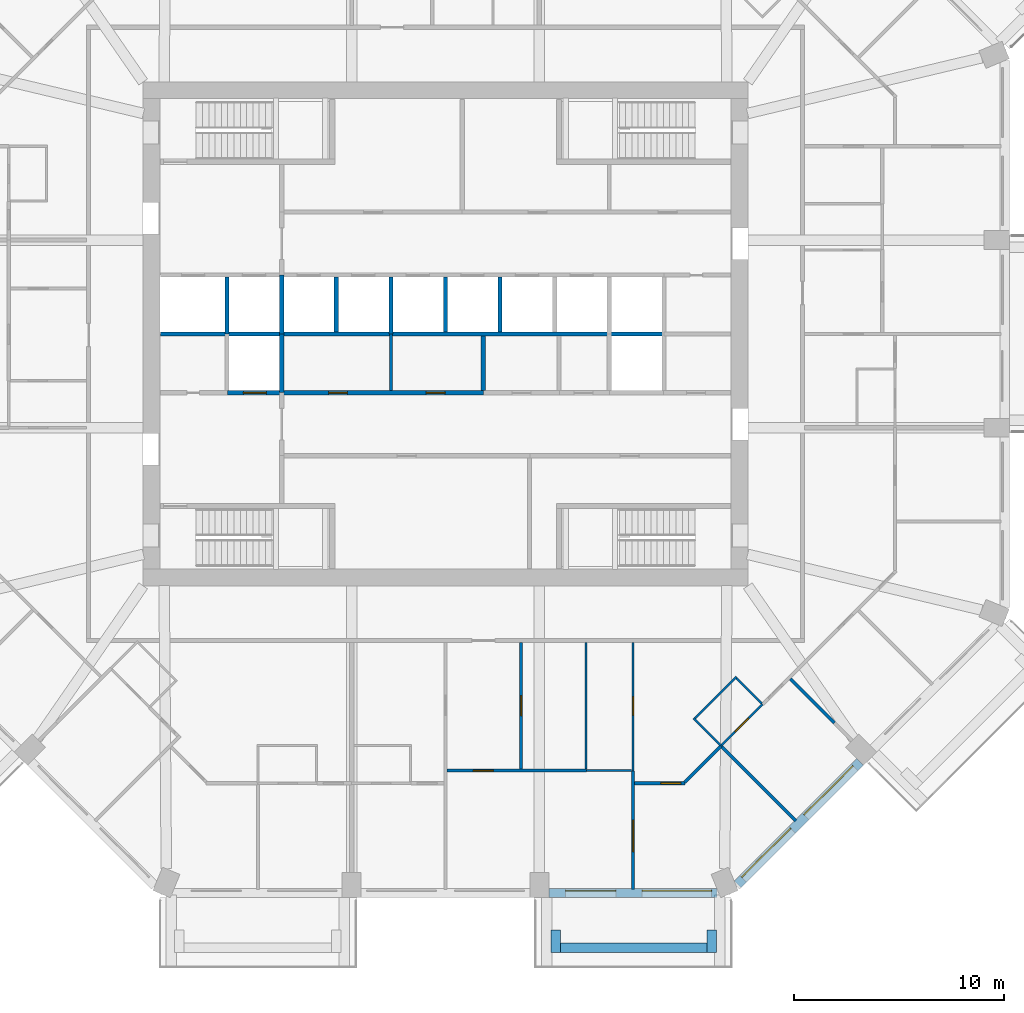
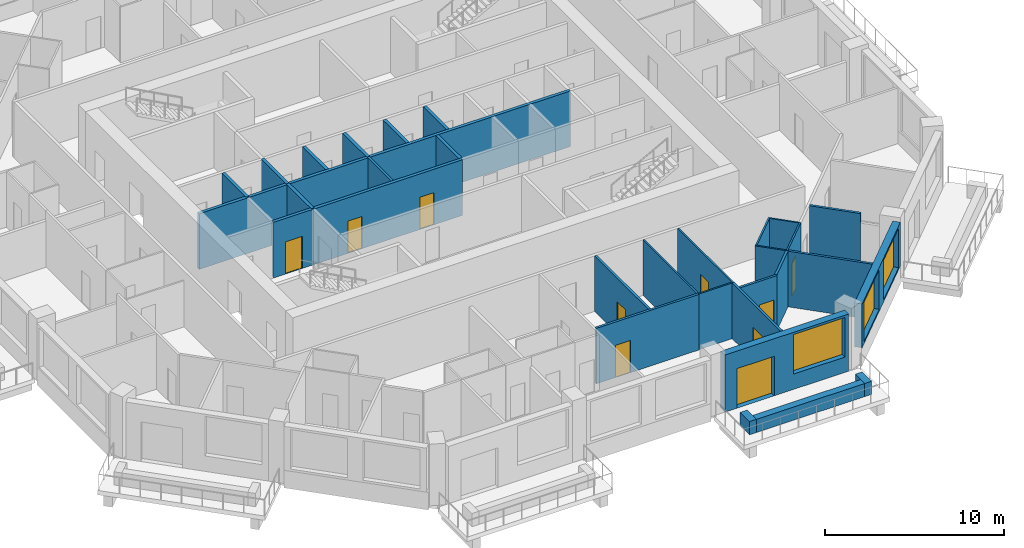
# One storey, part 5 of 13: 31 walls, 10 doors, 3 windows, 13 openings.
"""IFC4 building model written with IfcOpenShell, lengths in metres."""

from ifc_helpers import new_model, si_unit, direction, frame, frame_2d, origin, place, context, subcontext, project, spatial, rectangle, extrude, material, layer, layer_set, type_object, element, fill, save


model = new_model("IFC4")

# Units and contexts
model_context = context("Model", 3, precision=1e-05, world=origin(), true_north=direction((0.0, 1.0)))
body_context = subcontext(model_context, "Body", "Model", "MODEL_VIEW")
ifc_project = project(units=[si_unit("LENGTHUNIT", "METRE"), si_unit("AREAUNIT", "SQUARE_METRE"), si_unit("VOLUMEUNIT", "CUBIC_METRE"), si_unit("PLANEANGLEUNIT", "RADIAN"), si_unit("MASSUNIT", "GRAM", prefix="KILO")], contexts=[model_context])

# Site, building, storey
site_placement = place(None, origin())
site = spatial("IfcSite", under=ifc_project, at=site_placement, CompositionType="ELEMENT")
building_placement = place(site_placement, origin())
building = spatial("IfcBuilding", under=site, at=building_placement, Name="Msitu Wima Residences", CompositionType="ELEMENT")
storey_placement = place(building_placement, frame((0.0, 0.0, 144.300048828125)))
storey = spatial("IfcBuildingStorey", under=building, at=storey_placement, Name="L33", CompositionType="ELEMENT", Elevation=144.300048828125)

# Walls
ifc_material_1 = material(Name="Facing brick")
ifc_layer_1 = layer(ifc_material_1, 0.06494140625, Name="Facing brick")
ifc_material_2 = material(Name="Concrete C40/50", Category="concrete")
ifc_layer_2 = layer(ifc_material_2, 0.156005859375, Name="Concrete C40/50")
ifc_material_3 = material(Name="Waterproofing membrane")
ifc_layer_3 = layer(ifc_material_3, 0.00390625, Name="Waterproofing membrane")
ifc_material_4 = material(Name="Planting soil and planting")
ifc_layer_4 = layer(ifc_material_4, 0.22509765625, Name="Planting soil and planting")
ifc_layer_set_1 = layer_set([ifc_layer_1, ifc_layer_2, ifc_layer_3, ifc_layer_4], Name="Concrete C40/50")
wall_type_1 = type_object("IfcWallType", Name="Balcony planter PLANTER PL450", PredefinedType="USERDEFINED", material=ifc_layer_set_1)
wall_1_placement = place(storey_placement, frame((5.468505859375, -29.22509765625, 0.0), z_axis=(0.0, 0.0, 1.0), x_axis=(1.0, 0.0, 0.0)))
element("IfcWall", 1, at=wall_1_placement, inside=storey, type_object=wall_type_1, Name="Balcony planter S2 L33", ObjectType="PLANTER", PredefinedType="USERDEFINED", context=body_context, shape_type="SweptSolid", body=[
    extrude(rectangle(XDim=6.9873046875, YDim=0.449951171875, at=frame_2d((3.49365234375, 0.0))), origin(), (0.0, 0.0, 1.0), 0.89990234375),
])
for number, where, z_axis, x_axis, name in (
    (2, (5.24365234375, -28.39990234375, 0.0), (0.0, 0.0, 1.0), (0.0, -1.0, 0.0), "Balcony planter S2 L33"),
    (3, (12.680908203125, -28.39990234375, 0.0), (0.0, 0.0, 1.0), (0.0, -1.0, 0.0), "Balcony planter S2 L33"),
):
    element("IfcWall", number, at=place(storey_placement, frame(where, z_axis=z_axis, x_axis=x_axis)), inside=storey, type_object=wall_type_1, Name=name, ObjectType="PLANTER", PredefinedType="USERDEFINED", context=body_context, shape_type="SweptSolid", body=[
        extrude(rectangle(XDim=1.050048828125, YDim=0.449951171875, at=frame_2d((0.52490234375, 0.0))), origin(), (0.0, 0.0, 1.0), 0.89990234375),
    ])

# Wall, openings, door, window
ifc_material_5 = material(Name="Brick (red buff mix)", Category="masonry")
ifc_layer_5 = layer(ifc_material_5, 0.449951171875)
ifc_layer_set_2 = layer_set([ifc_layer_5], Name="Brick (red buff mix)")
wall_type_2 = type_object("IfcWallType", Name="Brick infill wall BW450", PredefinedType="SOLIDWALL", material=ifc_layer_set_2)
wall_2_placement = place(storey_placement, frame((4.918701171875, -26.625, 0.0), z_axis=(0.0, 0.0, 1.0), x_axis=(1.0, 0.0, 0.0)))
wall_2 = element("IfcWall", 4, at=wall_2_placement, inside=storey, type_object=wall_type_2, Name="Brick infill wall L33 S2", PredefinedType="SOLIDWALL", context=body_context, shape_type="SweptSolid", body=[
    extrude(rectangle(XDim=8.0, YDim=0.449951171875, at=frame_2d((4.0, 0.0))), origin(), (0.0, 0.0, 1.0), 3.89990234375),
])
opening_1_placement = place(wall_2_placement, frame((0.800048828125, 0.0, 0.0)))
opening_1 = element("IfcOpeningElement", 5, at=opening_1_placement, cuts=wall_2, Name="Opening D33.007", PredefinedType="OPENING", context=body_context, shape_type="SweptSolid", body=[
    extrude(rectangle(XDim=2.39990234375, YDim=2.699951171875, at=frame_2d((1.199951171875, 1.35009765625))), frame((0.0, 0.23486328125, 0.0), z_axis=(0.0, -1.0, 0.0), x_axis=(1.0, 0.0, 0.0)), (0.0, 0.0, 1.0), 0.469970703125),
])
opening_2_placement = place(wall_2_placement, frame((4.4501953125, 0.0, 1.050048828125)))
opening_2 = element("IfcOpeningElement", 6, at=opening_2_placement, cuts=wall_2, Name="Opening W33.019", PredefinedType="OPENING", context=body_context, shape_type="SweptSolid", body=[
    extrude(rectangle(XDim=3.300048828125, YDim=2.699951171875, at=frame_2d((1.64990234375, 1.35009765625))), frame((0.0, 0.23486328125, 0.0), z_axis=(0.0, -1.0, 0.0), x_axis=(1.0, 0.0, 0.0)), (0.0, 0.0, 1.0), 0.469970703125),
])
ifc_material_6 = material(Name="Anodised aluminium, bronze finish, clear low-emissivity double glazing", Category="aluminium")
door_type_1 = type_object("IfcDoorType", Name="Balcony door D2400x2700", OperationType="SLIDING_TO_LEFT", PredefinedType="DOOR", material=ifc_material_6)
door_1_placement = place(opening_1_placement, origin())
door_1 = element("IfcDoor", 7, at=door_1_placement, inside=storey, type_object=door_type_1, Name="Balcony door L33 S2", OperationType="SINGLE_SWING_LEFT", OverallHeight=2.699951171875, OverallWidth=2.39990234375, PredefinedType="DOOR", context=body_context, shape_type="SweptSolid", body=[
    extrude(rectangle(XDim=2.39990234375, YDim=2.699951171875, at=frame_2d((1.199951171875, 1.35009765625))), frame((0.0, 0.1298828125, 0.0), z_axis=(0.0, -1.0, 0.0), x_axis=(1.0, 0.0, 0.0)), (0.0, 0.0, 1.0), 0.050048828125),
])
fill(opening_1, door_1)
window_type = type_object("IfcWindowType", Name="Window W3300x2700", PartitioningType="DOUBLE_PANEL_VERTICAL", PredefinedType="WINDOW", material=ifc_material_6)
window_1_placement = place(opening_2_placement, origin())
window_1 = element("IfcWindow", 8, at=window_1_placement, inside=storey, type_object=window_type, Name="Window L33 S2.2", OverallHeight=2.699951171875, OverallWidth=3.300048828125, PartitioningType="SINGLE_PANEL", PredefinedType="WINDOW", context=body_context, shape_type="SweptSolid", body=[
    extrude(rectangle(XDim=3.300048828125, YDim=2.699951171875, at=frame_2d((1.64990234375, 1.35009765625))), frame((0.0, 0.135009765625, 0.0), z_axis=(0.0, -1.0, 0.0), x_axis=(1.0, 0.0, 0.0)), (0.0, 0.0, 1.0), 0.06005859375),
])
fill(opening_2, window_1)

# Wall, openings, windows
wall_3_placement = place(storey_placement, frame((13.909423828125, -26.214599609375, 0.89990234375), z_axis=(0.0, 0.0, 1.0), x_axis=(0.707106781187, 0.707106781187, 0.0)))
wall_3 = element("IfcWall", 9, at=wall_3_placement, inside=storey, type_object=wall_type_2, Name="Brick infill wall L33 SE0", PredefinedType="SOLIDWALL", context=body_context, shape_type="SweptSolid", body=[
    extrude(rectangle(XDim=8.251220703125, YDim=0.449951171875, at=frame_2d((4.12548828125, 0.0))), origin(), (0.0, 0.0, 1.0), 3.0),
])
opening_3_placement = place(wall_3_placement, frame((0.37548828125, 0.0, 0.14990234375)))
opening_3 = element("IfcOpeningElement", 10, at=opening_3_placement, cuts=wall_3, Name="Opening W33.020", PredefinedType="OPENING", context=body_context, shape_type="SweptSolid", body=[
    extrude(rectangle(XDim=3.300048828125, YDim=2.699951171875, at=frame_2d((1.64990234375, 1.35009765625))), frame((0.0, 0.23486328125, 0.0), z_axis=(0.0, -1.0, 0.0), x_axis=(1.0, 0.0, 0.0)), (0.0, 0.0, 1.0), 0.469970703125),
])
opening_4_placement = place(wall_3_placement, frame((4.57568359375, 0.0, 0.14990234375)))
opening_4 = element("IfcOpeningElement", 11, at=opening_4_placement, cuts=wall_3, Name="Opening W33.021", PredefinedType="OPENING", context=body_context, shape_type="SweptSolid", body=[
    extrude(rectangle(XDim=3.300048828125, YDim=2.699951171875, at=frame_2d((1.64990234375, 1.35009765625))), frame((0.0, 0.23486328125, 0.0), z_axis=(0.0, -1.0, 0.0), x_axis=(1.0, 0.0, 0.0)), (0.0, 0.0, 1.0), 0.469970703125),
])
window_2_placement = place(opening_3_placement, origin())
window_2 = element("IfcWindow", 12, at=window_2_placement, inside=storey, type_object=window_type, Name="Window L33 SE0.1", OverallHeight=2.699951171875, OverallWidth=3.300048828125, PartitioningType="SINGLE_PANEL", PredefinedType="WINDOW", context=body_context, shape_type="SweptSolid", body=[
    extrude(rectangle(XDim=3.300048828125, YDim=2.699951171875, at=frame_2d((1.64990234375, 1.35009765625))), frame((0.0, 0.135009765625, 0.0), z_axis=(0.0, -1.0, 0.0), x_axis=(1.0, 0.0, 0.0)), (0.0, 0.0, 1.0), 0.06005859375),
])
fill(opening_3, window_2)
window_3_placement = place(opening_4_placement, origin())
window_3 = element("IfcWindow", 13, at=window_3_placement, inside=storey, type_object=window_type, Name="Window L33 SE0.2", OverallHeight=2.699951171875, OverallWidth=3.300048828125, PartitioningType="SINGLE_PANEL", PredefinedType="WINDOW", context=body_context, shape_type="SweptSolid", body=[
    extrude(rectangle(XDim=3.300048828125, YDim=2.699951171875, at=frame_2d((1.64990234375, 1.35009765625))), frame((0.0, 0.135009765625, 0.0), z_axis=(0.0, -1.0, 0.0), x_axis=(1.0, 0.0, 0.0)), (0.0, 0.0, 1.0), 0.06005859375),
])
fill(opening_4, window_3)

# Wall, openings, doors
ifc_material_7 = material(Name="Plaster")
ifc_layer_6 = layer(ifc_material_7, 0.011962890625, Name="Plaster")
ifc_material_8 = material(Name="Concrete blockwork", Category="masonry")
ifc_layer_7 = layer(ifc_material_8, 0.176025390625, Name="Concrete blockwork")
ifc_layer_8 = layer(ifc_material_7, 0.011962890625, Name="Plaster")
ifc_layer_set_3 = layer_set([ifc_layer_6, ifc_layer_7, ifc_layer_8], Name="Concrete blockwork")
wall_type_3 = type_object("IfcWallType", Name="Corridor wall FW200", PredefinedType="PARTITIONING", material=ifc_layer_set_3)
wall_4_placement = place(storey_placement, frame((-7.820068359375, -2.800048828125, 0.0), z_axis=(0.0, 0.0, 1.0), x_axis=(1.0, 0.0, 0.0)))
wall_4 = element("IfcWall", 14, at=wall_4_placement, inside=storey, type_object=wall_type_3, Name="Corridor wall", PredefinedType="PARTITIONING", context=body_context, shape_type="SweptSolid", body=[
    extrude(rectangle(XDim=9.64013671875, YDim=0.199951171875, at=frame_2d((4.820068359375, 0.0))), origin(), (0.0, 0.0, 1.0), 3.7978515625),
])
opening_5_placement = place(wall_4_placement, frame((2.25, 0.0, 0.0)))
opening_5 = element("IfcOpeningElement", 15, at=opening_5_placement, cuts=wall_4, Name="Opening D33.029", PredefinedType="OPENING", context=body_context, shape_type="SweptSolid", body=[
    extrude(rectangle(XDim=0.89990234375, YDim=2.199951171875, at=frame_2d((0.449951171875, 1.10009765625))), frame((0.0, 0.10986328125, 0.0), z_axis=(0.0, -1.0, 0.0), x_axis=(1.0, 0.0, 0.0)), (0.0, 0.0, 1.0), 0.219970703125),
])
opening_6_placement = place(wall_4_placement, frame((6.89990234375, 0.0, 0.0)))
opening_6 = element("IfcOpeningElement", 16, at=opening_6_placement, cuts=wall_4, Name="Opening D33.030", PredefinedType="OPENING", context=body_context, shape_type="SweptSolid", body=[
    extrude(rectangle(XDim=0.89990234375, YDim=2.199951171875, at=frame_2d((0.449951171875, 1.10009765625))), frame((0.0, 0.10986328125, 0.0), z_axis=(0.0, -1.0, 0.0), x_axis=(1.0, 0.0, 0.0)), (0.0, 0.0, 1.0), 0.219970703125),
])
ifc_material_9 = material(Name="Timber flush door", Category="wood")
door_type_2 = type_object("IfcDoorType", Name="Service door D05 900x2200", OperationType="SINGLE_SWING_LEFT", PredefinedType="DOOR", material=ifc_material_9)
door_2_placement = place(opening_5_placement, origin())
door_2 = element("IfcDoor", 17, at=door_2_placement, inside=storey, type_object=door_type_2, Name="Service door", OperationType="SINGLE_SWING_RIGHT", OverallHeight=2.199951171875, OverallWidth=0.89990234375, PredefinedType="DOOR", context=body_context, shape_type="SweptSolid", body=[
    extrude(rectangle(XDim=0.89990234375, YDim=2.199951171875, at=frame_2d((0.449951171875, 1.10009765625))), frame((0.0, 0.02490234375, 0.0), z_axis=(0.0, -1.0, 0.0), x_axis=(1.0, 0.0, 0.0)), (0.0, 0.0, 1.0), 0.050048828125),
])
fill(opening_5, door_2)
door_3_placement = place(opening_6_placement, origin())
door_3 = element("IfcDoor", 18, at=door_3_placement, inside=storey, type_object=door_type_2, Name="Service door", OperationType="SINGLE_SWING_LEFT", OverallHeight=2.199951171875, OverallWidth=0.89990234375, PredefinedType="DOOR", context=body_context, shape_type="SweptSolid", body=[
    extrude(rectangle(XDim=0.89990234375, YDim=2.199951171875, at=frame_2d((0.449951171875, 1.10009765625))), frame((0.0, 0.02490234375, 0.0), z_axis=(0.0, -1.0, 0.0), x_axis=(1.0, 0.0, 0.0)), (0.0, 0.0, 1.0), 0.050048828125),
])
fill(opening_6, door_3)

# Wall
ifc_layer_9 = layer(ifc_material_7, 0.011962890625, Name="Plaster")
ifc_layer_10 = layer(ifc_material_8, 0.1259765625, Name="Concrete blockwork")
ifc_layer_11 = layer(ifc_material_7, 0.011962890625, Name="Plaster")
ifc_layer_set_4 = layer_set([ifc_layer_9, ifc_layer_10, ifc_layer_11], Name="Concrete blockwork")
wall_type_4 = type_object("IfcWallType", Name="Partition PW150", PredefinedType="PARTITIONING", material=ifc_layer_set_4)
wall_5_placement = place(storey_placement, frame((-2.60009765625, -2.699951171875, 0.0), z_axis=(0.0, 0.0, 1.0), x_axis=(0.0, 1.0, 0.0)))
element("IfcWall", 19, at=wall_5_placement, inside=storey, type_object=wall_type_4, Name="Partition", PredefinedType="PARTITIONING", context=body_context, shape_type="SweptSolid", body=[
    extrude(rectangle(XDim=2.699951171875, YDim=0.14990234375, at=frame_2d((1.35009765625, 0.0))), origin(), (0.0, 0.0, 1.0), 3.7978515625),
])

# Wall, opening, door
wall_6_placement = place(storey_placement, frame((0.074951171875, -20.800048828125, 0.0), z_axis=(0.0, 0.0, 1.0), x_axis=(1.0, 0.0, 0.0)))
wall_6 = element("IfcWall", 20, at=wall_6_placement, inside=storey, type_object=wall_type_4, Name="Partition", PredefinedType="PARTITIONING", context=body_context, shape_type="SweptSolid", body=[
    extrude(rectangle(XDim=6.64501953125, YDim=0.14990234375, at=frame_2d((3.322509765625, 0.0))), origin(), (0.0, 0.0, 1.0), 3.7978515625),
])
opening_7_placement = place(wall_6_placement, frame((1.25, 0.0, 0.0)))
opening_7 = element("IfcOpeningElement", 21, at=opening_7_placement, cuts=wall_6, Name="Opening D33.073", PredefinedType="OPENING", context=body_context, shape_type="SweptSolid", body=[
    extrude(rectangle(XDim=0.949951171875, YDim=2.199951171875, at=frame_2d((0.47509765625, 1.10009765625))), frame((0.0, 0.0849609375, 0.0), z_axis=(0.0, -1.0, 0.0), x_axis=(1.0, 0.0, 0.0)), (0.0, 0.0, 1.0), 0.169921875),
])
door_type_3 = type_object("IfcDoorType", Name="Room door D12 950x2200", OperationType="SINGLE_SWING_LEFT", PredefinedType="DOOR", material=ifc_material_9)
door_4_placement = place(opening_7_placement, origin())
door_4 = element("IfcDoor", 22, at=door_4_placement, inside=storey, type_object=door_type_3, Name="Room door", OperationType="SINGLE_SWING_RIGHT", OverallHeight=2.199951171875, OverallWidth=0.949951171875, PredefinedType="DOOR", context=body_context, shape_type="SweptSolid", body=[
    extrude(rectangle(XDim=0.949951171875, YDim=2.199951171875, at=frame_2d((0.47509765625, 1.10009765625))), frame((0.0, 0.02490234375, 0.0), z_axis=(0.0, -1.0, 0.0), x_axis=(1.0, 0.0, 0.0)), (0.0, 0.0, 1.0), 0.050048828125),
])
fill(opening_7, door_4)

wall_7_placement = place(storey_placement, frame((3.60009765625, -20.72509765625, 0.0), z_axis=(0.0, 0.0, 1.0), x_axis=(0.0, 1.0, 0.0)))
wall_7 = element("IfcWall", 23, at=wall_7_placement, inside=storey, type_object=wall_type_4, Name="Partition", PredefinedType="PARTITIONING", context=body_context, shape_type="SweptSolid", body=[
    extrude(rectangle(XDim=6.025146484375, YDim=0.14990234375, at=frame_2d((3.0126953125, 0.0))), origin(), (0.0, 0.0, 1.0), 3.7978515625),
])
opening_8_placement = place(wall_7_placement, frame((2.550048828125, 0.0, 0.0)))
opening_8 = element("IfcOpeningElement", 24, at=opening_8_placement, cuts=wall_7, Name="Opening D33.076", PredefinedType="OPENING", context=body_context, shape_type="SweptSolid", body=[
    extrude(rectangle(XDim=0.949951171875, YDim=2.199951171875, at=frame_2d((0.47509765625, 1.10009765625))), frame((0.0, 0.0849609375, 0.0), z_axis=(0.0, -1.0, 0.0), x_axis=(1.0, 0.0, 0.0)), (0.0, 0.0, 1.0), 0.169921875),
])
door_5_placement = place(opening_8_placement, origin())
door_5 = element("IfcDoor", 25, at=door_5_placement, inside=storey, type_object=door_type_3, Name="Room door", OperationType="SINGLE_SWING_LEFT", OverallHeight=2.199951171875, OverallWidth=0.949951171875, PredefinedType="DOOR", context=body_context, shape_type="SweptSolid", body=[
    extrude(rectangle(XDim=0.949951171875, YDim=2.199951171875, at=frame_2d((0.47509765625, 1.10009765625))), frame((0.0, 0.02490234375, 0.0), z_axis=(0.0, -1.0, 0.0), x_axis=(1.0, 0.0, 0.0)), (0.0, 0.0, 1.0), 0.050048828125),
])
fill(opening_8, door_5)

wall_8_placement = place(storey_placement, frame((8.937255859375, -26.455078125, 0.0), z_axis=(0.0, 0.0, 1.0), x_axis=(0.0, 1.0, 0.0)))
wall_8 = element("IfcWall", 26, at=wall_8_placement, inside=storey, type_object=wall_type_4, Name="Partition", PredefinedType="PARTITIONING", context=body_context, shape_type="SweptSolid", body=[
    extrude(rectangle(XDim=5.635009765625, YDim=0.14990234375, at=frame_2d((2.8173828125, 0.0))), origin(), (0.0, 0.0, 1.0), 3.7978515625),
])
opening_9_placement = place(wall_8_placement, frame((1.800048828125, 0.0, 0.0)))
opening_9 = element("IfcOpeningElement", 27, at=opening_9_placement, cuts=wall_8, Name="Opening D33.077", PredefinedType="OPENING", context=body_context, shape_type="SweptSolid", body=[
    extrude(rectangle(XDim=1.5, YDim=2.199951171875, at=frame_2d((0.75, 1.10009765625))), frame((0.0, 0.0849609375, 0.0), z_axis=(0.0, -1.0, 0.0), x_axis=(1.0, 0.0, 0.0)), (0.0, 0.0, 1.0), 0.169921875),
])
ifc_material_10 = material(Name="Timber double door", Category="wood")
door_type_4 = type_object("IfcDoorType", Name="Double door D04 1500x2200", OperationType="DOUBLE_DOOR_SINGLE_SWING", PredefinedType="DOOR", material=ifc_material_10)
door_6_placement = place(opening_9_placement, origin())
door_6 = element("IfcDoor", 28, at=door_6_placement, inside=storey, type_object=door_type_4, Name="Double door", OperationType="DOUBLE_DOOR_SINGLE_SWING", OverallHeight=2.199951171875, OverallWidth=1.5, PredefinedType="DOOR", context=body_context, shape_type="SweptSolid", body=[
    extrude(rectangle(XDim=1.5, YDim=2.199951171875, at=frame_2d((0.75, 1.10009765625))), frame((0.0, 0.02490234375, 0.0), z_axis=(0.0, -1.0, 0.0), x_axis=(1.0, 0.0, 0.0)), (0.0, 0.0, 1.0), 0.050048828125),
])
fill(opening_9, door_6)

wall_9_placement = place(storey_placement, frame((9.01220703125, -21.39990234375, 0.0), z_axis=(0.0, 0.0, 1.0), x_axis=(1.0, 0.0, 0.0)))
wall_9 = element("IfcWall", 29, at=wall_9_placement, inside=storey, type_object=wall_type_4, Name="Partition", PredefinedType="PARTITIONING", context=body_context, shape_type="SweptSolid", body=[
    extrude(rectangle(XDim=2.397705078125, YDim=0.14990234375, at=frame_2d((1.19873046875, 0.0))), origin(), (0.0, 0.0, 1.0), 3.7978515625),
])
opening_10_placement = place(wall_9_placement, frame((1.25, 0.0, 0.0)))
opening_10 = element("IfcOpeningElement", 30, at=opening_10_placement, cuts=wall_9, Name="Opening D33.078", PredefinedType="OPENING", context=body_context, shape_type="SweptSolid", body=[
    extrude(rectangle(XDim=0.949951171875, YDim=2.199951171875, at=frame_2d((0.47509765625, 1.10009765625))), frame((0.0, 0.0849609375, 0.0), z_axis=(0.0, -1.0, 0.0), x_axis=(1.0, 0.0, 0.0)), (0.0, 0.0, 1.0), 0.169921875),
])
door_7_placement = place(opening_10_placement, origin())
door_7 = element("IfcDoor", 31, at=door_7_placement, inside=storey, type_object=door_type_3, Name="Room door", OperationType="SINGLE_SWING_RIGHT", OverallHeight=2.199951171875, OverallWidth=0.949951171875, PredefinedType="DOOR", context=body_context, shape_type="SweptSolid", body=[
    extrude(rectangle(XDim=0.949951171875, YDim=2.199951171875, at=frame_2d((0.47509765625, 1.10009765625))), frame((0.0, 0.02490234375, 0.0), z_axis=(0.0, -1.0, 0.0), x_axis=(1.0, 0.0, 0.0)), (0.0, 0.0, 1.0), 0.050048828125),
])
fill(opening_10, door_7)

# Walls
wall_10_placement = place(storey_placement, frame((11.387939453125, -21.346923828125, 0.0), z_axis=(0.0, 0.0, 1.0), x_axis=(0.707106781187, 0.707106781187, 0.0)))
element("IfcWall", 32, at=wall_10_placement, inside=storey, type_object=wall_type_4, Name="Partition", PredefinedType="PARTITIONING", context=body_context, shape_type="SweptSolid", body=[
    extrude(rectangle(XDim=2.447998046875, YDim=0.14990234375, at=frame_2d((1.22412109375, 0.0))), origin(), (0.0, 0.0, 1.0), 3.7978515625),
])
wall_11_placement = place(storey_placement, frame((13.104736328125, -19.601806640625, 0.0), z_axis=(0.0, 0.0, 1.0), x_axis=(0.707106781187, -0.707106781187, 0.0)))
element("IfcWall", 33, at=wall_11_placement, inside=storey, type_object=wall_type_4, Name="Partition", PredefinedType="PARTITIONING", context=body_context, shape_type="SweptSolid", body=[
    extrude(rectangle(XDim=5.0751953125, YDim=0.14990234375, at=frame_2d((2.53759765625, 0.0))), origin(), (0.0, 0.0, 1.0), 3.7978515625),
])
wall_12_placement = place(storey_placement, frame((16.42041015625, -16.42041015625, 0.0), z_axis=(0.0, 0.0, 1.0), x_axis=(0.707106781187, -0.707106781187, 0.0)))
element("IfcWall", 34, at=wall_12_placement, inside=storey, type_object=wall_type_4, Name="Partition", PredefinedType="PARTITIONING", context=body_context, shape_type="SweptSolid", body=[
    extrude(rectangle(XDim=2.9658203125, YDim=0.14990234375, at=frame_2d((1.48291015625, 0.0))), origin(), (0.0, 0.0, 1.0), 3.7978515625),
])
ifc_layer_12 = layer(ifc_material_7, 0.011962890625, Name="Plaster")
ifc_material_11 = material(Name="Reinforced concrete blockwork", Category="masonry")
ifc_layer_13 = layer(ifc_material_11, 0.176025390625, Name="Reinforced concrete blockwork")
ifc_layer_14 = layer(ifc_material_7, 0.011962890625, Name="Plaster")
ifc_layer_set_5 = layer_set([ifc_layer_12, ifc_layer_13, ifc_layer_14], Name="Reinforced concrete blockwork")
wall_type_5 = type_object("IfcWallType", Name="Plant and riser wall PL200", PredefinedType="PARTITIONING", material=ifc_layer_set_5)
wall_13_placement = place(storey_placement, frame((1.800048828125, -2.699951171875, 0.0), z_axis=(0.0, 0.0, 1.0), x_axis=(0.0, 1.0, 0.0)))
element("IfcWall", 35, at=wall_13_placement, inside=storey, type_object=wall_type_5, Name="Plant and riser wall", PredefinedType="PARTITIONING", context=body_context, shape_type="SweptSolid", body=[
    extrude(rectangle(XDim=2.599853515625, YDim=0.199951171875, at=frame_2d((1.2998046875, 0.0))), origin(), (0.0, 0.0, 1.0), 3.7978515625),
])
ifc_material_12 = material(Name="Fire-rated board")
ifc_layer_15 = layer(ifc_material_12, 0.02490234375, Name="Fire-rated board")
ifc_material_13 = material(Name="Light-gauge stud framing with mineral wool")
ifc_layer_16 = layer(ifc_material_13, 0.14990234375, Name="Light-gauge stud framing with mineral wool")
ifc_layer_17 = layer(ifc_material_12, 0.02490234375, Name="Fire-rated board")
ifc_layer_set_6 = layer_set([ifc_layer_15, ifc_layer_16, ifc_layer_17], Name="Light-gauge stud framing with mineral wool")
wall_type_6 = type_object("IfcWallType", Name="Shaft wall SH200", PredefinedType="PARTITIONING", material=ifc_layer_set_6)
wall_14_placement = place(storey_placement, frame((-13.570068359375, 0.0, 0.0), z_axis=(0.0, 0.0, 1.0), x_axis=(1.0, 0.0, 0.0)))
element("IfcWall", 36, at=wall_14_placement, inside=storey, type_object=wall_type_6, Name="Shaft wall", PredefinedType="PARTITIONING", context=body_context, shape_type="SweptSolid", body=[
    extrude(rectangle(XDim=23.969970703125, YDim=0.199951171875, at=frame_2d((11.98486328125, 0.0))), origin(), (0.0, 0.0, 1.0), 3.7978515625),
])

# Wall, opening, door
wall_15_placement = place(storey_placement, frame((-10.3798828125, -2.800048828125, 0.0), z_axis=(0.0, 0.0, 1.0), x_axis=(1.0, 0.0, 0.0)))
wall_15 = element("IfcWall", 37, at=wall_15_placement, inside=storey, type_object=wall_type_6, Name="Shaft wall", PredefinedType="PARTITIONING", context=body_context, shape_type="SweptSolid", body=[
    extrude(rectangle(XDim=2.559814453125, YDim=0.199951171875, at=frame_2d((1.27978515625, 0.0))), origin(), (0.0, 0.0, 1.0), 3.7978515625),
])
opening_11_placement = place(wall_15_placement, frame((0.75, 0.0, 0.0)))
opening_11 = element("IfcOpeningElement", 38, at=opening_11_placement, cuts=wall_15, Name="Opening LD", PredefinedType="OPENING", context=body_context, shape_type="SweptSolid", body=[
    extrude(rectangle(XDim=1.10009765625, YDim=2.199951171875, at=frame_2d((0.550048828125, 1.10009765625))), frame((0.0, 0.10986328125, 0.0), z_axis=(0.0, -1.0, 0.0), x_axis=(1.0, 0.0, 0.0)), (0.0, 0.0, 1.0), 0.219970703125),
])
ifc_material_14 = material(Name="Stainless steel centre-opening landing door, rated", Category="steel")
door_type_5 = type_object("IfcDoorType", Name="Lift landing door LD 1100x2200", OperationType="DOUBLE_DOOR_SLIDING", PredefinedType="DOOR", material=ifc_material_14)
door_8_placement = place(opening_11_placement, origin())
door_8 = element("IfcDoor", 39, at=door_8_placement, inside=storey, type_object=door_type_5, Name="Lift landing door LD3", OperationType="DOUBLE_DOOR_SLIDING", OverallHeight=2.199951171875, OverallWidth=1.10009765625, PredefinedType="DOOR", context=body_context, shape_type="SweptSolid", body=[
    extrude(rectangle(XDim=1.10009765625, YDim=2.199951171875, at=frame_2d((0.550048828125, 1.10009765625))), frame((0.0, 0.02490234375, 0.0), z_axis=(0.0, -1.0, 0.0), x_axis=(1.0, 0.0, 0.0)), (0.0, 0.0, 1.0), 0.050048828125),
])
fill(opening_11, door_8)

# Walls
wall_16_placement = place(storey_placement, frame((-10.39990234375, 0.0, 0.0), z_axis=(0.0, 0.0, 1.0), x_axis=(0.0, 1.0, 0.0)))
element("IfcWall", 40, at=wall_16_placement, inside=storey, type_object=wall_type_6, Name="Shaft wall", PredefinedType="PARTITIONING", context=body_context, shape_type="SweptSolid", body=[
    extrude(rectangle(XDim=2.699951171875, YDim=0.199951171875, at=frame_2d((1.35009765625, 0.0))), origin(), (0.0, 0.0, 1.0), 3.7978515625),
])
for number, where, z_axis, x_axis, name in (
    (41, (-7.800048828125, -2.800048828125, 0.0), (0.0, 0.0, 1.0), (0.0, 1.0, 0.0), "Shaft wall"),
    (42, (-7.800048828125, 0.0, 0.0), (0.0, 0.0, 1.0), (0.0, 1.0, 0.0), "Shaft wall"),
):
    element("IfcWall", number, at=place(storey_placement, frame(where, z_axis=z_axis, x_axis=x_axis)), inside=storey, type_object=wall_type_6, Name=name, PredefinedType="PARTITIONING", context=body_context, shape_type="SweptSolid", body=[
        extrude(rectangle(XDim=2.800048828125, YDim=0.199951171875, at=frame_2d((1.39990234375, 0.0))), origin(), (0.0, 0.0, 1.0), 3.7978515625),
    ])
wall_17_placement = place(storey_placement, frame((-5.199951171875, 0.10009765625, 0.0), z_axis=(0.0, 0.0, 1.0), x_axis=(0.0, 1.0, 0.0)))
element("IfcWall", 43, at=wall_17_placement, inside=storey, type_object=wall_type_6, Name="Shaft wall", PredefinedType="PARTITIONING", context=body_context, shape_type="SweptSolid", body=[
    extrude(rectangle(XDim=2.599853515625, YDim=0.199951171875, at=frame_2d((1.2998046875, 0.0))), origin(), (0.0, 0.0, 1.0), 3.7978515625),
])
wall_18_placement = place(storey_placement, frame((-2.60009765625, 0.0, 0.0), z_axis=(0.0, 0.0, 1.0), x_axis=(0.0, 1.0, 0.0)))
element("IfcWall", 44, at=wall_18_placement, inside=storey, type_object=wall_type_6, Name="Shaft wall", PredefinedType="PARTITIONING", context=body_context, shape_type="SweptSolid", body=[
    extrude(rectangle(XDim=2.699951171875, YDim=0.199951171875, at=frame_2d((1.35009765625, 0.0))), origin(), (0.0, 0.0, 1.0), 3.7978515625),
])
for number, where, z_axis, x_axis, name in (
    (45, (0.0, 0.10009765625, 0.0), (0.0, 0.0, 1.0), (0.0, 1.0, 0.0), "Shaft wall"),
    (46, (2.60009765625, 0.10009765625, 0.0), (0.0, 0.0, 1.0), (0.0, 1.0, 0.0), "Shaft wall"),
):
    element("IfcWall", number, at=place(storey_placement, frame(where, z_axis=z_axis, x_axis=x_axis)), inside=storey, type_object=wall_type_6, Name=name, PredefinedType="PARTITIONING", context=body_context, shape_type="SweptSolid", body=[
        extrude(rectangle(XDim=2.599853515625, YDim=0.199951171875, at=frame_2d((1.2998046875, 0.0))), origin(), (0.0, 0.0, 1.0), 3.7978515625),
    ])
ifc_material_15 = material(Name="Ceramic tiles")
ifc_layer_18 = layer(ifc_material_15, 0.008056640625, Name="Ceramic tiles")
ifc_material_16 = material(Name="Moisture-resistant board")
ifc_layer_19 = layer(ifc_material_16, 0.012451171875, Name="Moisture-resistant board")
ifc_layer_20 = layer(ifc_material_13, 0.06689453125, Name="Light-gauge stud framing with mineral wool")
ifc_layer_21 = layer(ifc_material_16, 0.012451171875, Name="Moisture-resistant board")
ifc_layer_set_7 = layer_set([ifc_layer_18, ifc_layer_19, ifc_layer_20, ifc_layer_21], Name="Light-gauge stud framing with mineral wool")
wall_type_7 = type_object("IfcWallType", Name="Wet wall PW100", PredefinedType="PARTITIONING", material=ifc_layer_set_7)
wall_19_placement = place(storey_placement, frame((6.719970703125, -20.800048828125, 0.0), z_axis=(0.0, 0.0, 1.0), x_axis=(1.0, 0.0, 0.0)))
element("IfcWall", 47, at=wall_19_placement, inside=storey, type_object=wall_type_7, Name="Wet wall", PredefinedType="PARTITIONING", context=body_context, shape_type="SweptSolid", body=[
    extrude(rectangle(XDim=2.142333984375, YDim=0.10009765625, at=frame_2d((1.0712890625, 0.0))), origin(), (0.0, 0.0, 1.0), 3.7978515625),
])
wall_20_placement = place(storey_placement, frame((6.699951171875, -20.72509765625, 0.0), z_axis=(0.0, 0.0, 1.0), x_axis=(0.0, 1.0, 0.0)))
element("IfcWall", 48, at=wall_20_placement, inside=storey, type_object=wall_type_7, Name="Wet wall", PredefinedType="PARTITIONING", context=body_context, shape_type="SweptSolid", body=[
    extrude(rectangle(XDim=6.025146484375, YDim=0.10009765625, at=frame_2d((3.0126953125, 0.0))), origin(), (0.0, 0.0, 1.0), 3.7978515625),
])

# Wall, opening, door
wall_21_placement = place(storey_placement, frame((8.937255859375, -20.820068359375, 0.0), z_axis=(0.0, 0.0, 1.0), x_axis=(0.0, 1.0, 0.0)))
wall_21 = element("IfcWall", 49, at=wall_21_placement, inside=storey, type_object=wall_type_7, Name="Wet wall", PredefinedType="PARTITIONING", context=body_context, shape_type="SweptSolid", body=[
    extrude(rectangle(XDim=6.1201171875, YDim=0.10009765625, at=frame_2d((3.06005859375, 0.0))), origin(), (0.0, 0.0, 1.0), 3.7978515625),
])
opening_12_placement = place(wall_21_placement, frame((2.64990234375, 0.0, 0.0)))
opening_12 = element("IfcOpeningElement", 50, at=opening_12_placement, cuts=wall_21, Name="Opening D33.084", PredefinedType="OPENING", context=body_context, shape_type="SweptSolid", body=[
    extrude(rectangle(XDim=0.89990234375, YDim=2.199951171875, at=frame_2d((0.449951171875, 1.10009765625))), frame((0.0, 0.06005859375, 0.0), z_axis=(0.0, -1.0, 0.0), x_axis=(1.0, 0.0, 0.0)), (0.0, 0.0, 1.0), 0.1201171875),
])
ifc_material_17 = material(Name="Timber flush door, moisture resistant", Category="wood")
door_type_6 = type_object("IfcDoorType", Name="Bathroom door D03 900x2200", OperationType="SINGLE_SWING_LEFT", PredefinedType="DOOR", material=ifc_material_17)
door_9_placement = place(opening_12_placement, origin())
door_9 = element("IfcDoor", 51, at=door_9_placement, inside=storey, type_object=door_type_6, Name="Bathroom door", OperationType="SINGLE_SWING_RIGHT", OverallHeight=2.199951171875, OverallWidth=0.89990234375, PredefinedType="DOOR", context=body_context, shape_type="SweptSolid", body=[
    extrude(rectangle(XDim=0.89990234375, YDim=2.199951171875, at=frame_2d((0.449951171875, 1.10009765625))), frame((0.0, 0.02490234375, 0.0), z_axis=(0.0, -1.0, 0.0), x_axis=(1.0, 0.0, 0.0)), (0.0, 0.0, 1.0), 0.050048828125),
])
fill(opening_12, door_9)

# Walls
wall_22_placement = place(storey_placement, frame((11.810791015625, -18.307861328125, 0.0), z_axis=(0.0, 0.0, 1.0), x_axis=(0.707106781187, -0.707106781187, 0.0)))
element("IfcWall", 52, at=wall_22_placement, inside=storey, type_object=wall_type_7, Name="Wet wall", PredefinedType="PARTITIONING", context=body_context, shape_type="SweptSolid", body=[
    extrude(rectangle(XDim=1.829833984375, YDim=0.10009765625, at=frame_2d((0.9150390625, 0.0))), origin(), (0.0, 0.0, 1.0), 3.7978515625),
])
wall_23_placement = place(storey_placement, frame((11.88134765625, -18.307861328125, 0.0), z_axis=(0.0, 0.0, 1.0), x_axis=(0.707106781187, 0.707106781187, 0.0)))
element("IfcWall", 53, at=wall_23_placement, inside=storey, type_object=wall_type_7, Name="Wet wall", PredefinedType="PARTITIONING", context=body_context, shape_type="SweptSolid", body=[
    extrude(rectangle(XDim=2.800048828125, YDim=0.10009765625, at=frame_2d((1.39990234375, 0.0))), origin(), (0.0, 0.0, 1.0), 3.7978515625),
])

# Wall, opening, door
wall_24_placement = place(storey_placement, frame((13.118896484375, -19.615966796875, 0.0), z_axis=(0.0, 0.0, 1.0), x_axis=(0.707106781187, 0.707106781187, 0.0)))
wall_24 = element("IfcWall", 54, at=wall_24_placement, inside=storey, type_object=wall_type_7, Name="Wet wall", PredefinedType="PARTITIONING", context=body_context, shape_type="SweptSolid", body=[
    extrude(rectangle(XDim=2.800048828125, YDim=0.10009765625, at=frame_2d((1.39990234375, 0.0))), origin(), (0.0, 0.0, 1.0), 3.7978515625),
])
opening_13_placement = place(wall_24_placement, frame((0.949951171875, 0.0, 0.0)))
opening_13 = element("IfcOpeningElement", 55, at=opening_13_placement, cuts=wall_24, Name="Opening D33.081", PredefinedType="OPENING", context=body_context, shape_type="SweptSolid", body=[
    extrude(rectangle(XDim=0.89990234375, YDim=2.199951171875, at=frame_2d((0.449951171875, 1.10009765625))), frame((0.0, 0.06005859375, 0.0), z_axis=(0.0, -1.0, 0.0), x_axis=(1.0, 0.0, 0.0)), (0.0, 0.0, 1.0), 0.1201171875),
])
door_10_placement = place(opening_13_placement, origin())
door_10 = element("IfcDoor", 56, at=door_10_placement, inside=storey, type_object=door_type_6, Name="Bathroom door", OperationType="SINGLE_SWING_RIGHT", OverallHeight=2.199951171875, OverallWidth=0.89990234375, PredefinedType="DOOR", context=body_context, shape_type="SweptSolid", body=[
    extrude(rectangle(XDim=0.89990234375, YDim=2.199951171875, at=frame_2d((0.449951171875, 1.10009765625))), frame((0.0, 0.02490234375, 0.0), z_axis=(0.0, -1.0, 0.0), x_axis=(1.0, 0.0, 0.0)), (0.0, 0.0, 1.0), 0.050048828125),
])
fill(opening_13, door_10)

# Wall
wall_25_placement = place(storey_placement, frame((13.861328125, -16.398681640625, 0.0), z_axis=(0.0, 0.0, 1.0), x_axis=(0.707178586901, -0.707034968179, 0.0)))
element("IfcWall", 57, at=wall_25_placement, inside=storey, type_object=wall_type_7, Name="Wet wall", PredefinedType="PARTITIONING", context=body_context, shape_type="SweptSolid", body=[
    extrude(rectangle(XDim=1.699951171875, YDim=0.10009765625, at=frame_2d((0.85009765625, 0.0))), origin(), (0.0, 0.0, 1.0), 3.7978515625),
])

save(model, "model.ifc")
